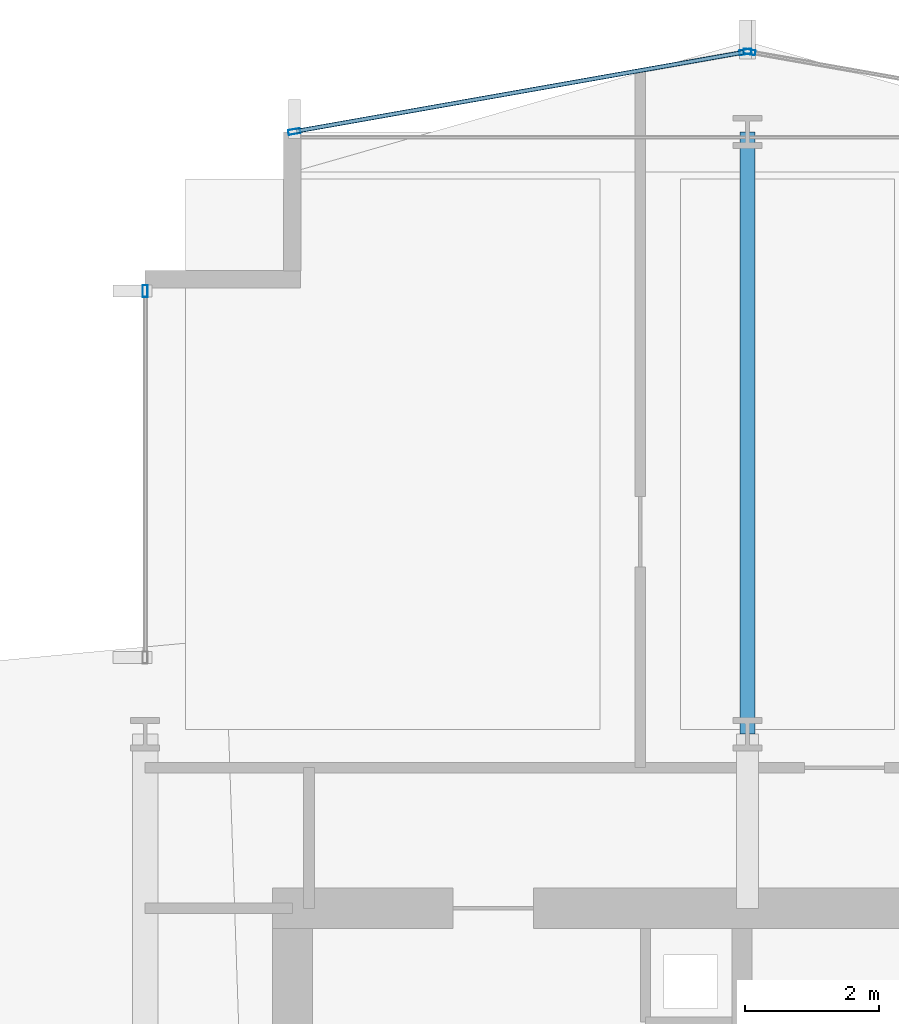
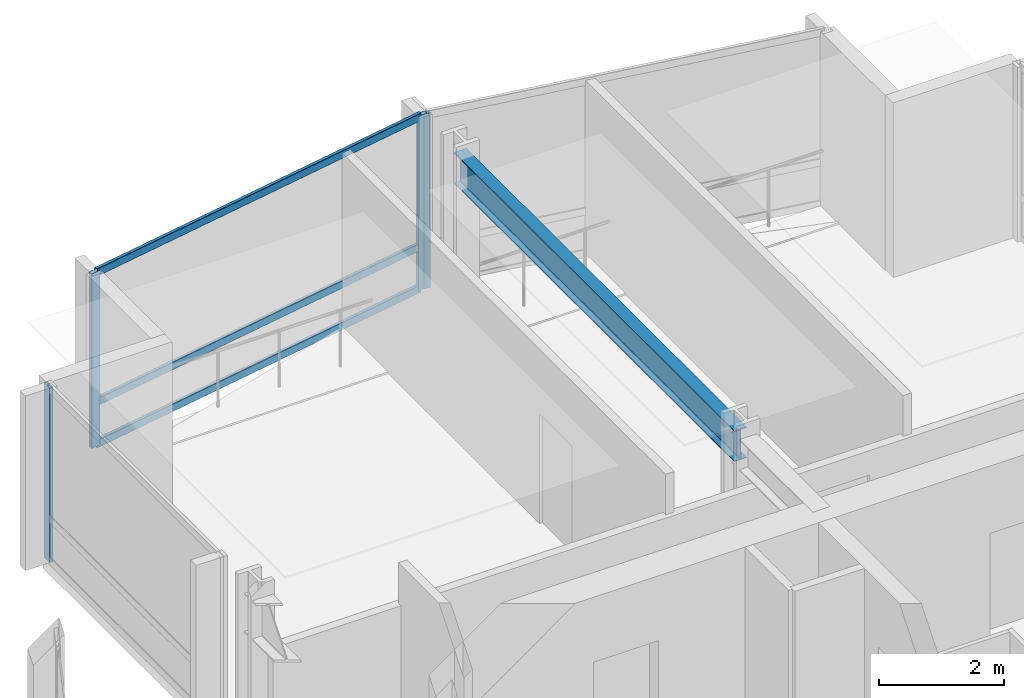
# One storey, part 23 of 34: 7 members, 1 beam, 3 elements without a shape of their own.
"""IFC4 building model written with IfcOpenShell, lengths in metres."""

from ifc_helpers import new_model, si_unit, direction, frame, origin, origin_2d, place, context, subcontext, project, spatial, hollow_rectangle, i_section, extrude, material, layer, layer_set, material_profile, profile_set, type_object, element, aggregate, save


model = new_model("IFC4")

# Units and contexts
model_context = context("Model", 3, precision=1e-05, world=origin(), true_north=direction((0.0, 1.0)))
body_context = subcontext(model_context, "Body", "Model", "MODEL_VIEW")
ifc_project = project(units=[si_unit("LENGTHUNIT", "METRE"), si_unit("AREAUNIT", "SQUARE_METRE"), si_unit("VOLUMEUNIT", "CUBIC_METRE"), si_unit("PLANEANGLEUNIT", "RADIAN"), si_unit("MASSUNIT", "GRAM", prefix="KILO")], contexts=[model_context])

# Site, building, storey
site_placement = place(None, origin())
site = spatial("IfcSite", under=ifc_project, at=site_placement, CompositionType="ELEMENT")
building_placement = place(site_placement, origin())
building = spatial("IfcBuilding", under=site, at=building_placement, Name="Solvaryn Broadcast Tower", CompositionType="ELEMENT")
storey_placement = place(building_placement, frame((0.0, 0.0, 50.800048828125)))
storey = spatial("IfcBuildingStorey", under=building, at=storey_placement, Name="L11", CompositionType="ELEMENT", Elevation=50.800048828125)

# Beam
ifc_material_1 = material(Name="Steel ASTM A992 Grade 50", Category="steel")
ifc_material_profile_1 = material_profile(ifc_material_1, i_section(OverallWidth=0.22802734375, OverallDepth=0.60791015625, WebThickness=0.01123046875, FlangeThickness=0.017333984375, FilletRadius=0.014892578125, at=origin_2d()))
ifc_profile_set_1 = profile_set([ifc_material_profile_1], Name="Steel ASTM A992 Grade 50")
beam_type = type_object("IfcBeamType", Name="BM-B2-W24X76", PredefinedType="BEAM", material=ifc_profile_set_1)
beam_placement = place(storey_placement, frame((18.0, 45.0, 3.115966796875), z_axis=(0.0, 1.0, 0.0), x_axis=(-1.0, 0.0, 0.0)))
element("IfcBeam", 1, at=beam_placement, inside=storey, type_object=beam_type, Name="L11 Primary Beam Y (45-54 @ X=18)", PredefinedType="BEAM", context=body_context, shape_type="SweptSolid", body=[
    extrude(i_section(OverallWidth=0.22802734375, OverallDepth=0.60791015625, WebThickness=0.01123046875, FlangeThickness=0.017333984375, FilletRadius=0.014892578125, at=origin_2d()), origin(), (0.0, 0.0, 1.0), 9.0),
])

# Curtain wall, member
ifc_material_2 = material(Name="Aluminium and Terracotta Unitised Curtain Wall", Category="masonry")
ifc_layer = layer(ifc_material_2, 0.199951171875)
ifc_layer_set = layer_set([ifc_layer], Name="CW-SYS2-LOWMID")
curtain_wall_type = type_object("IfcCurtainWallType", Name="CW-SYS2-LOWMID", PredefinedType="NOTDEFINED", material=ifc_layer_set)
curtain_wall_1_placement = place(storey_placement, origin())
curtain_wall_1 = element("IfcCurtainWall", 2, at=curtain_wall_1_placement, inside=storey, type_object=curtain_wall_type, Name="L11 Curtain Wall W2", PredefinedType="NOTDEFINED")
ifc_material_3 = material(Name="Anodised Aluminium 6063-T6", Category="aluminium")
ifc_material_profile_2 = material_profile(ifc_material_3, hollow_rectangle(XDim=0.074951171875, YDim=0.179931640625, WallThickness=0.00390625, InnerFilletRadius=0.00390625, OuterFilletRadius=0.008056640625, at=origin_2d()))
ifc_profile_set_2 = profile_set([ifc_material_profile_2], Name="Anodised Aluminium 6063-T6")
member_type_1 = type_object("IfcMemberType", Name="CW-MUL-180", PredefinedType="MULLION", material=ifc_profile_set_2)
member_1_placement = place(storey_placement, frame((9.0, 51.6201171875, 0.0), z_axis=(0.0, 0.0, 1.0), x_axis=(-1.0, 0.0, 0.0)))
member_1 = element("IfcMember", 3, at=member_1_placement, type_object=member_type_1, Name="CWS2 mullion 2", PredefinedType="MULLION", context=body_context, shape_type="SweptSolid", body=[
    extrude(hollow_rectangle(XDim=0.074951171875, YDim=0.179931640625, WallThickness=0.00390625, InnerFilletRadius=0.00390625, OuterFilletRadius=0.008056640625, at=origin_2d()), origin(), (0.0, 0.0, 1.0), 3.419921875),
])
aggregate(curtain_wall_1, [member_1])

curtain_wall_2_placement = place(storey_placement, origin())
curtain_wall_2 = element("IfcCurtainWall", 4, at=curtain_wall_2_placement, inside=storey, type_object=curtain_wall_type, Name="L11 Curtain Wall NT1", PredefinedType="NOTDEFINED")
member_2_placement = place(storey_placement, frame((18.029541015625, 55.19482421875, 0.0), z_axis=(0.0, 0.0, 1.0), x_axis=(-0.173785333901, -0.984783558819, 0.0)))
member_2 = element("IfcMember", 5, at=member_2_placement, type_object=member_type_1, Name="CWS2 mullion 2", PredefinedType="MULLION", context=body_context, shape_type="SweptSolid", body=[
    extrude(hollow_rectangle(XDim=0.074951171875, YDim=0.179931640625, WallThickness=0.00390625, InnerFilletRadius=0.00390625, OuterFilletRadius=0.008056640625, at=origin_2d()), origin(), (0.0, 0.0, 1.0), 3.419921875),
])
aggregate(curtain_wall_2, [member_2])

# Curtain wall, members
curtain_wall_3_placement = place(storey_placement, origin())
curtain_wall_3 = element("IfcCurtainWall", 6, at=curtain_wall_3_placement, inside=storey, type_object=curtain_wall_type, Name="L11 Curtain Wall NT2", PredefinedType="NOTDEFINED")
member_3_placement = place(storey_placement, frame((17.970458984375, 55.19482421875, 0.0), z_axis=(0.0, 0.0, 1.0), x_axis=(0.173785333901, -0.984783558819, 0.0)))
member_3 = element("IfcMember", 7, at=member_3_placement, type_object=member_type_1, Name="CWS2 mullion 1", PredefinedType="MULLION", context=body_context, shape_type="SweptSolid", body=[
    extrude(hollow_rectangle(XDim=0.074951171875, YDim=0.179931640625, WallThickness=0.00390625, InnerFilletRadius=0.00390625, OuterFilletRadius=0.008056640625, at=origin_2d()), origin(), (0.0, 0.0, 1.0), 3.419921875),
])
member_4_placement = place(storey_placement, frame((11.2294921875, 54.005126953125, 0.0), z_axis=(0.0, 0.0, 1.0), x_axis=(0.173785333901, -0.984783558819, 0.0)))
member_4 = element("IfcMember", 8, at=member_4_placement, type_object=member_type_1, Name="CWS2 mullion 2", PredefinedType="MULLION", context=body_context, shape_type="SweptSolid", body=[
    extrude(hollow_rectangle(XDim=0.074951171875, YDim=0.179931640625, WallThickness=0.00390625, InnerFilletRadius=0.00390625, OuterFilletRadius=0.008056640625, at=origin_2d()), origin(), (0.0, 0.0, 1.0), 3.419921875),
])
ifc_material_4 = material(Name="Anodised Aluminium 6063-T6", Category="aluminium")
ifc_material_profile_3 = material_profile(ifc_material_4, hollow_rectangle(XDim=0.06494140625, YDim=0.14990234375, WallThickness=0.00390625, InnerFilletRadius=0.00390625, OuterFilletRadius=0.008056640625, at=origin_2d()))
ifc_profile_set_3 = profile_set([ifc_material_profile_3], Name="Anodised Aluminium 6063-T6")
member_type_2 = type_object("IfcMemberType", Name="CW-TRN-150", PredefinedType="USERDEFINED", material=ifc_profile_set_3)
member_5_placement = place(storey_placement, frame((17.94091796875, 55.189453125, 0.030029296875), z_axis=(-0.984788629673, -0.173756596613, 0.0), x_axis=(0.173756596613, -0.984788629673, 0.0)))
member_5 = element("IfcMember", 9, at=member_5_placement, type_object=member_type_2, Name="CWS2 transom 1.1", ObjectType="TRANSOM", PredefinedType="USERDEFINED", context=body_context, shape_type="SweptSolid", body=[
    extrude(hollow_rectangle(XDim=0.06494140625, YDim=0.14990234375, WallThickness=0.00390625, InnerFilletRadius=0.00390625, OuterFilletRadius=0.008056640625, at=origin_2d()), origin(), (0.0, 0.0, 1.0), 6.78515625),
])
member_6_placement = place(storey_placement, frame((17.94091796875, 55.189453125, 0.849853515625), z_axis=(-0.984788629673, -0.173756596613, 0.0), x_axis=(0.173756596613, -0.984788629673, 0.0)))
member_6 = element("IfcMember", 10, at=member_6_placement, type_object=member_type_2, Name="CWS2 transom 1.2", ObjectType="TRANSOM", PredefinedType="USERDEFINED", context=body_context, shape_type="SweptSolid", body=[
    extrude(hollow_rectangle(XDim=0.06494140625, YDim=0.14990234375, WallThickness=0.00390625, InnerFilletRadius=0.00390625, OuterFilletRadius=0.008056640625, at=origin_2d()), origin(), (0.0, 0.0, 1.0), 6.78515625),
])
member_7_placement = place(storey_placement, frame((17.94091796875, 55.189453125, 3.389892578125), z_axis=(-0.984788629673, -0.173756596613, 0.0), x_axis=(0.173756596613, -0.984788629673, 0.0)))
member_7 = element("IfcMember", 11, at=member_7_placement, type_object=member_type_2, Name="CWS2 transom 1.3", ObjectType="TRANSOM", PredefinedType="USERDEFINED", context=body_context, shape_type="SweptSolid", body=[
    extrude(hollow_rectangle(XDim=0.06494140625, YDim=0.14990234375, WallThickness=0.00390625, InnerFilletRadius=0.00390625, OuterFilletRadius=0.008056640625, at=origin_2d()), origin(), (0.0, 0.0, 1.0), 6.78515625),
])
aggregate(curtain_wall_3, [member_3, member_4, member_5, member_6, member_7])

save(model, "model.ifc")
